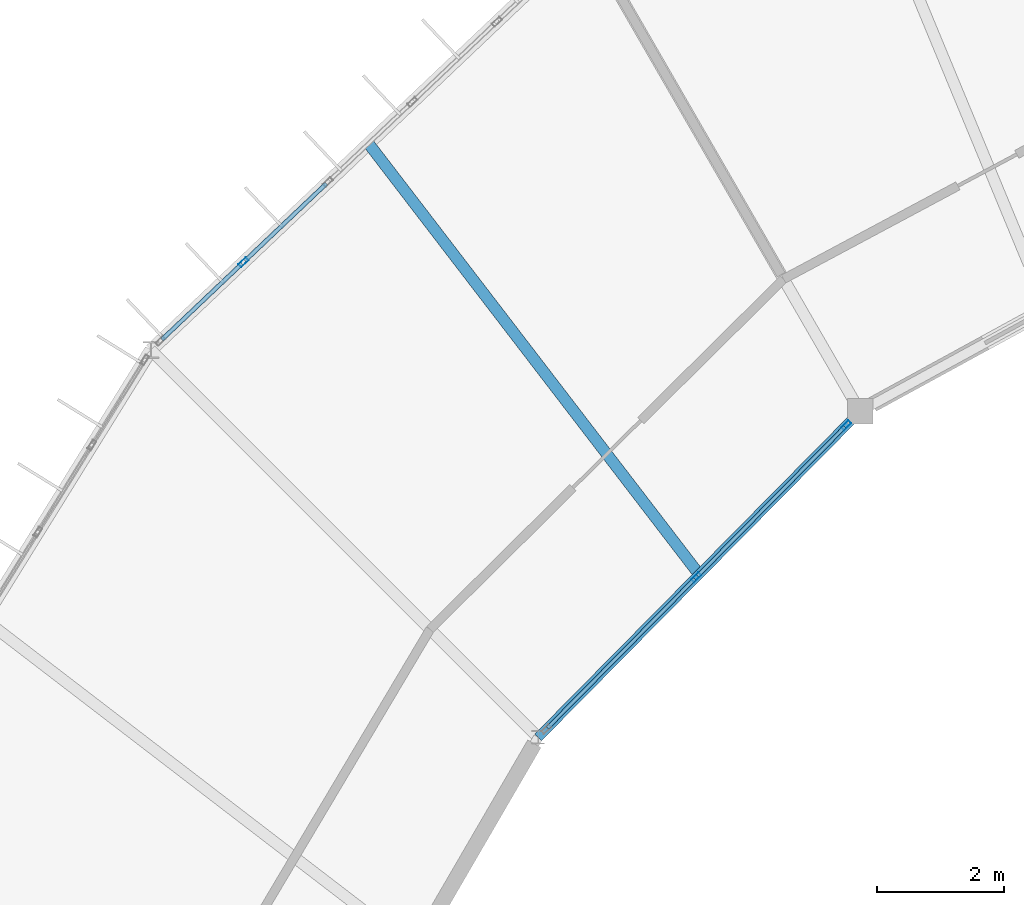
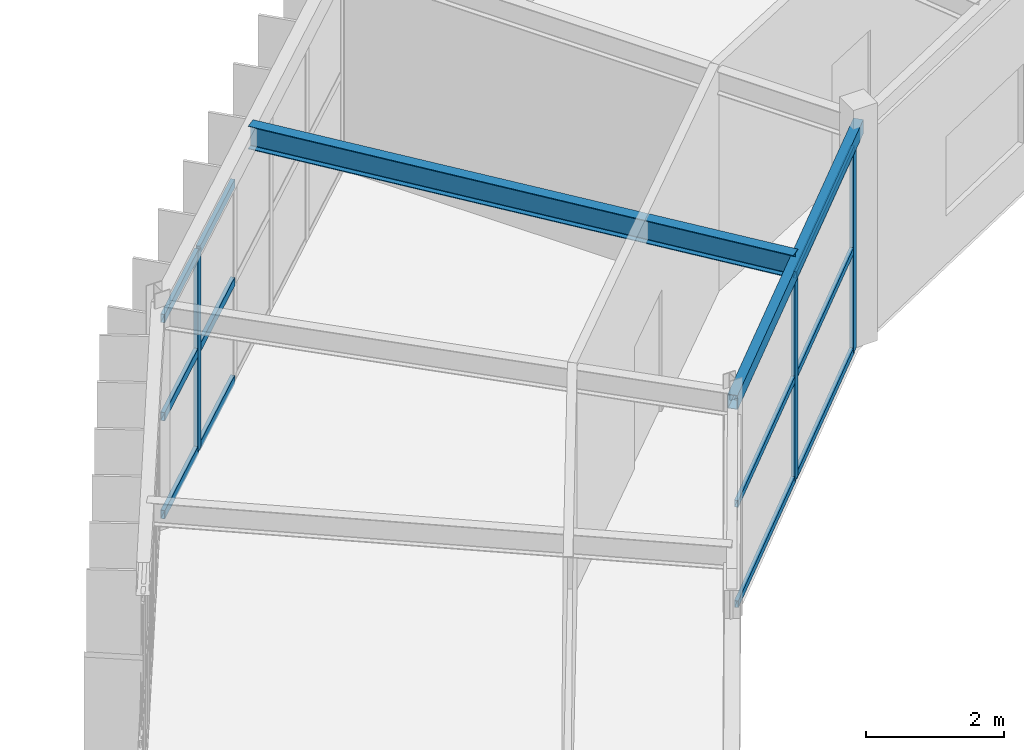
# One storey, part 58 of 106: 15 members, 2 beams, 2 elements without a shape of their own.
"""IFC4 building model written with IfcOpenShell, lengths in metres."""

from ifc_helpers import new_model, si_unit, direction, frame, origin, origin_2d, place, context, subcontext, project, spatial, hollow_rectangle, i_section, extrude, material, material_profile, profile_set, type_object, element, aggregate, save


model = new_model("IFC4")

# Units and contexts
model_context = context("Model", 3, precision=1e-05, world=origin(), true_north=direction((0.0, 1.0)))
body_context = subcontext(model_context, "Body", "Model", "MODEL_VIEW")
ifc_project = project(units=[si_unit("LENGTHUNIT", "METRE"), si_unit("AREAUNIT", "SQUARE_METRE"), si_unit("VOLUMEUNIT", "CUBIC_METRE"), si_unit("PLANEANGLEUNIT", "RADIAN"), si_unit("MASSUNIT", "GRAM", prefix="KILO")], contexts=[model_context])

# Site, building, storey
site_placement = place(None, origin())
site = spatial("IfcSite", under=ifc_project, at=site_placement, CompositionType="ELEMENT")
building_placement = place(site_placement, origin())
building = spatial("IfcBuilding", under=site, at=building_placement, Name="Karori Crest Natural Sciences Institute", CompositionType="ELEMENT")
storey_placement = place(building_placement, frame((0.0, 0.0, 25.89990234375)))
storey = spatial("IfcBuildingStorey", under=building, at=storey_placement, Name="L06", CompositionType="ELEMENT", Elevation=25.89990234375)

# Beams
ifc_material_1 = material(Name="Structural steel AS/NZS 3679.1 Grade 350", Category="steel")
ifc_material_profile_1 = material_profile(ifc_material_1, i_section(OverallWidth=0.177978515625, OverallDepth=0.406005859375, WebThickness=0.0078125, FlangeThickness=0.0126953125, FilletRadius=0.010986328125, at=origin_2d()), Name="410UB59.7")
ifc_profile_set_1 = profile_set([ifc_material_profile_1], Name="Structural steel AS/NZS 3679.1 Grade 350")
beam_type_1 = type_object("IfcBeamType", Name="BT-07", PredefinedType="BEAM", material=ifc_profile_set_1)
beam_1_placement = place(storey_placement, frame((51.67333984375, 75.227294921875, 3.739990234375), z_axis=(-0.608759695628, 0.793354670358, 0.0), x_axis=(-0.793354670358, -0.608759695628, 0.0)))
element("IfcBeam", 1, at=beam_1_placement, inside=storey, type_object=beam_type_1, Name="Beam B-2889", PredefinedType="BEAM", context=body_context, shape_type="SweptSolid", body=[
    extrude(i_section(OverallWidth=0.177978515625, OverallDepth=0.406005859375, WebThickness=0.0078125, FlangeThickness=0.0126953125, FilletRadius=0.010986328125, at=origin_2d()), origin(), (0.0, 0.0, 1.0), 8.526611328125),
])
ifc_material_2 = material(Name="Hollow structural steel AS/NZS 1163 Grade C350", Category="steel")
ifc_material_profile_2 = material_profile(ifc_material_2, hollow_rectangle(XDim=0.14990234375, YDim=0.25, WallThickness=0.009033203125, at=origin_2d()), Name="RHS250x150x9")
ifc_profile_set_2 = profile_set([ifc_material_profile_2], Name="Hollow structural steel AS/NZS 1163 Grade C350")
beam_type_2 = type_object("IfcBeamType", Name="BT-16", PredefinedType="SPANDREL", material=ifc_profile_set_2)
beam_2_placement = place(storey_placement, frame((54.199951171875, 77.785888671875, 3.739990234375), z_axis=(-0.70266285879, -0.711522948946, 0.0), x_axis=(0.711522948946, -0.70266285879, 0.0)))
element("IfcBeam", 2, at=beam_2_placement, inside=storey, type_object=beam_type_2, Name="Beam B-0669", PredefinedType="SPANDREL", context=body_context, shape_type="SweptSolid", body=[
    extrude(hollow_rectangle(XDim=0.14990234375, YDim=0.25, WallThickness=0.009033203125, at=origin_2d()), origin(), (0.0, 0.0, 1.0), 7.19189453125),
])

# Curtain wall, member
ifc_material_3 = material(Name="Anodised architectural aluminium 6063-T6", Category="aluminium")
curtain_wall_type_1 = type_object("IfcCurtainWallType", Name="CWT-09", PredefinedType="NOTDEFINED", material=ifc_material_3)
curtain_wall_1_placement = place(storey_placement, origin())
curtain_wall_1 = element("IfcCurtainWall", 3, at=curtain_wall_1_placement, inside=storey, type_object=curtain_wall_type_1, Name="Curtain wall CW-0232", PredefinedType="NOTDEFINED")
ifc_material_profile_3 = material_profile(ifc_material_3, hollow_rectangle(XDim=0.06494140625, YDim=0.159912109375, WallThickness=0.00390625, at=origin_2d()), Name="CWM160x65x4")
ifc_profile_set_3 = profile_set([ifc_material_profile_3], Name="Anodised architectural aluminium 6063-T6")
member_type_1 = type_object("IfcMemberType", Name="CWM-01", PredefinedType="MULLION", material=ifc_profile_set_3)
member_1_placement = place(storey_placement, frame((44.5185546875, 80.12841796875, 0.0), z_axis=(0.0, 0.0, 1.0), x_axis=(-0.688250542104, 0.725473081026, 0.0)))
member_1 = element("IfcMember", 4, at=member_1_placement, type_object=member_type_1, Name="CW-0232 mullion 2", PredefinedType="MULLION", context=body_context, shape_type="SweptSolid", body=[
    extrude(hollow_rectangle(XDim=0.06494140625, YDim=0.159912109375, WallThickness=0.00390625, at=origin_2d()), origin(), (0.0, 0.0, 1.0), 3.525146484375),
])

# Curtain wall, members
curtain_wall_type_2 = type_object("IfcCurtainWallType", Name="CWT-14", PredefinedType="NOTDEFINED", material=ifc_material_3)
curtain_wall_2_placement = place(storey_placement, origin())
curtain_wall_2 = element("IfcCurtainWall", 5, at=curtain_wall_2_placement, inside=storey, type_object=curtain_wall_type_2, Name="Curtain wall CW-0233", PredefinedType="NOTDEFINED")
member_2_placement = place(storey_placement, frame((53.98095703125, 77.564208984375, 0.0), z_axis=(0.0, 0.0, 1.0), x_axis=(0.711524963942, -0.702660818381, 0.0)))
member_2 = element("IfcMember", 6, at=member_2_placement, type_object=member_type_1, Name="CW-0233 mullion 1", PredefinedType="MULLION", context=body_context, shape_type="SweptSolid", body=[
    extrude(hollow_rectangle(XDim=0.06494140625, YDim=0.159912109375, WallThickness=0.00390625, at=origin_2d()), origin(), (0.0, 0.0, 1.0), 3.60009765625),
])
member_3_placement = place(storey_placement, frame((51.625732421875, 75.17919921875, 0.0), z_axis=(0.0, 0.0, 1.0), x_axis=(0.711524963942, -0.702660818381, 0.0)))
member_3 = element("IfcMember", 7, at=member_3_placement, type_object=member_type_1, Name="CW-0233 mullion 2", PredefinedType="MULLION", context=body_context, shape_type="SweptSolid", body=[
    extrude(hollow_rectangle(XDim=0.06494140625, YDim=0.159912109375, WallThickness=0.00390625, at=origin_2d()), origin(), (0.0, 0.0, 1.0), 3.60009765625),
])
ifc_material_profile_4 = material_profile(ifc_material_3, hollow_rectangle(XDim=0.06005859375, YDim=0.1201171875, WallThickness=0.00390625, at=origin_2d()), Name="CWT120x60x4")
ifc_profile_set_4 = profile_set([ifc_material_profile_4], Name="Anodised architectural aluminium 6063-T6")
member_type_2 = type_object("IfcMemberType", Name="CWT-TR1", PredefinedType="USERDEFINED", material=ifc_profile_set_4)
member_4_placement = place(storey_placement, frame((53.958251953125, 77.541259765625, 0.030029296875), z_axis=(-0.702636271003, -0.711549204673, 0.0), x_axis=(0.711549204673, -0.702636271003, 0.0)))
member_4 = element("IfcMember", 8, at=member_4_placement, type_object=member_type_2, Name="CW-0233 transom 1.1", ObjectType="TRANSOM", PredefinedType="USERDEFINED", context=body_context, shape_type="SweptSolid", body=[
    extrude(hollow_rectangle(XDim=0.06005859375, YDim=0.1201171875, WallThickness=0.00390625, at=origin_2d()), origin(), (0.0, 0.0, 1.0), 3.287109375),
])
member_5_placement = place(storey_placement, frame((53.958251953125, 77.541259765625, 1.800048828125), z_axis=(-0.702636271003, -0.711549204673, 0.0), x_axis=(0.711549204673, -0.702636271003, 0.0)))
member_5 = element("IfcMember", 9, at=member_5_placement, type_object=member_type_2, Name="CW-0233 transom 1.2", ObjectType="TRANSOM", PredefinedType="USERDEFINED", context=body_context, shape_type="SweptSolid", body=[
    extrude(hollow_rectangle(XDim=0.06005859375, YDim=0.1201171875, WallThickness=0.00390625, at=origin_2d()), origin(), (0.0, 0.0, 1.0), 3.287109375),
])
member_6_placement = place(storey_placement, frame((53.958251953125, 77.541259765625, 3.570068359375), z_axis=(-0.702636271003, -0.711549204673, 0.0), x_axis=(0.711549204673, -0.702636271003, 0.0)))
member_6 = element("IfcMember", 10, at=member_6_placement, type_object=member_type_2, Name="CW-0233 transom 1.3", ObjectType="TRANSOM", PredefinedType="USERDEFINED", context=body_context, shape_type="SweptSolid", body=[
    extrude(hollow_rectangle(XDim=0.06005859375, YDim=0.1201171875, WallThickness=0.00390625, at=origin_2d()), origin(), (0.0, 0.0, 1.0), 3.287109375),
])
member_7_placement = place(storey_placement, frame((51.60302734375, 75.15625, 0.030029296875), z_axis=(-0.702636271003, -0.711549204673, 0.0), x_axis=(0.711549204673, -0.702636271003, 0.0)))
member_7 = element("IfcMember", 11, at=member_7_placement, type_object=member_type_2, Name="CW-0233 transom 2.1", ObjectType="TRANSOM", PredefinedType="USERDEFINED", context=body_context, shape_type="SweptSolid", body=[
    extrude(hollow_rectangle(XDim=0.06005859375, YDim=0.1201171875, WallThickness=0.00390625, at=origin_2d()), origin(), (0.0, 0.0, 1.0), 3.287109375),
])
member_8_placement = place(storey_placement, frame((51.60302734375, 75.15625, 1.800048828125), z_axis=(-0.702636271003, -0.711549204673, 0.0), x_axis=(0.711549204673, -0.702636271003, 0.0)))
member_8 = element("IfcMember", 12, at=member_8_placement, type_object=member_type_2, Name="CW-0233 transom 2.2", ObjectType="TRANSOM", PredefinedType="USERDEFINED", context=body_context, shape_type="SweptSolid", body=[
    extrude(hollow_rectangle(XDim=0.06005859375, YDim=0.1201171875, WallThickness=0.00390625, at=origin_2d()), origin(), (0.0, 0.0, 1.0), 3.287109375),
])
member_9_placement = place(storey_placement, frame((51.60302734375, 75.15625, 3.570068359375), z_axis=(-0.702636271003, -0.711549204673, 0.0), x_axis=(0.711549204673, -0.702636271003, 0.0)))
member_9 = element("IfcMember", 13, at=member_9_placement, type_object=member_type_2, Name="CW-0233 transom 2.3", ObjectType="TRANSOM", PredefinedType="USERDEFINED", context=body_context, shape_type="SweptSolid", body=[
    extrude(hollow_rectangle(XDim=0.06005859375, YDim=0.1201171875, WallThickness=0.00390625, at=origin_2d()), origin(), (0.0, 0.0, 1.0), 3.287109375),
])
aggregate(curtain_wall_2, [member_2, member_3, member_4, member_5, member_6, member_7, member_8, member_9])

# Member
ifc_material_profile_5 = material_profile(ifc_material_3, hollow_rectangle(XDim=0.06494140625, YDim=0.14990234375, WallThickness=0.00390625, at=origin_2d()), Name="CWT150x65x4")
ifc_profile_set_5 = profile_set([ifc_material_profile_5], Name="Anodised architectural aluminium 6063-T6")
member_type_3 = type_object("IfcMemberType", Name="CWT-TR2", PredefinedType="USERDEFINED", material=ifc_profile_set_5)
member_10_placement = place(storey_placement, frame((43.2392578125, 78.914794921875, 0.03271484375), z_axis=(0.725481758098, 0.688241395636, 0.0), x_axis=(-0.688241395636, 0.725481758098, 0.0)))
member_10 = element("IfcMember", 14, at=member_10_placement, type_object=member_type_3, Name="CW-0232 transom 1.1", ObjectType="TRANSOM", PredefinedType="USERDEFINED", context=body_context, shape_type="SweptSolid", body=[
    extrude(hollow_rectangle(XDim=0.06494140625, YDim=0.14990234375, WallThickness=0.00390625, at=origin_2d()), origin(), (0.0, 0.0, 1.0), 1.730712890625),
])

member_11_placement = place(storey_placement, frame((43.2392578125, 78.914794921875, 1.7626953125), z_axis=(0.725481758098, 0.688241395636, 0.0), x_axis=(-0.688241395636, 0.725481758098, 0.0)))
member_11 = element("IfcMember", 15, at=member_11_placement, type_object=member_type_3, Name="CW-0232 transom 1.2", ObjectType="TRANSOM", PredefinedType="USERDEFINED", context=body_context, shape_type="SweptSolid", body=[
    extrude(hollow_rectangle(XDim=0.06494140625, YDim=0.14990234375, WallThickness=0.00390625, at=origin_2d()), origin(), (0.0, 0.0, 1.0), 1.730712890625),
])

member_12_placement = place(storey_placement, frame((43.2392578125, 78.914794921875, 3.49267578125), z_axis=(0.725481758098, 0.688241395636, 0.0), x_axis=(-0.688241395636, 0.725481758098, 0.0)))
member_12 = element("IfcMember", 16, at=member_12_placement, type_object=member_type_3, Name="CW-0232 transom 1.3", ObjectType="TRANSOM", PredefinedType="USERDEFINED", context=body_context, shape_type="SweptSolid", body=[
    extrude(hollow_rectangle(XDim=0.06494140625, YDim=0.14990234375, WallThickness=0.00390625, at=origin_2d()), origin(), (0.0, 0.0, 1.0), 1.730712890625),
])

member_13_placement = place(storey_placement, frame((44.5419921875, 80.15087890625, 0.03271484375), z_axis=(0.725548767107, 0.688170753919, 0.0), x_axis=(-0.688170753919, 0.725548767107, 0.0)))
member_13 = element("IfcMember", 17, at=member_13_placement, type_object=member_type_3, Name="CW-0232 transom 2.1", ObjectType="TRANSOM", PredefinedType="USERDEFINED", context=body_context, shape_type="SweptSolid", body=[
    extrude(hollow_rectangle(XDim=0.06494140625, YDim=0.14990234375, WallThickness=0.00390625, at=origin_2d()), origin(), (0.0, 0.0, 1.0), 1.763427734375),
])

member_14_placement = place(storey_placement, frame((44.5419921875, 80.15087890625, 1.7626953125), z_axis=(0.725548767107, 0.688170753919, 0.0), x_axis=(-0.688170753919, 0.725548767107, 0.0)))
member_14 = element("IfcMember", 18, at=member_14_placement, type_object=member_type_3, Name="CW-0232 transom 2.2", ObjectType="TRANSOM", PredefinedType="USERDEFINED", context=body_context, shape_type="SweptSolid", body=[
    extrude(hollow_rectangle(XDim=0.06494140625, YDim=0.14990234375, WallThickness=0.00390625, at=origin_2d()), origin(), (0.0, 0.0, 1.0), 1.763427734375),
])

member_15_placement = place(storey_placement, frame((44.5419921875, 80.15087890625, 3.49267578125), z_axis=(0.725548767107, 0.688170753919, 0.0), x_axis=(-0.688170753919, 0.725548767107, 0.0)))
member_15 = element("IfcMember", 19, at=member_15_placement, type_object=member_type_3, Name="CW-0232 transom 2.3", ObjectType="TRANSOM", PredefinedType="USERDEFINED", context=body_context, shape_type="SweptSolid", body=[
    extrude(hollow_rectangle(XDim=0.06494140625, YDim=0.14990234375, WallThickness=0.00390625, at=origin_2d()), origin(), (0.0, 0.0, 1.0), 1.763427734375),
])

aggregate(curtain_wall_1, [member_1, member_10, member_11, member_12, member_13, member_14, member_15])

save(model, "model.ifc")
